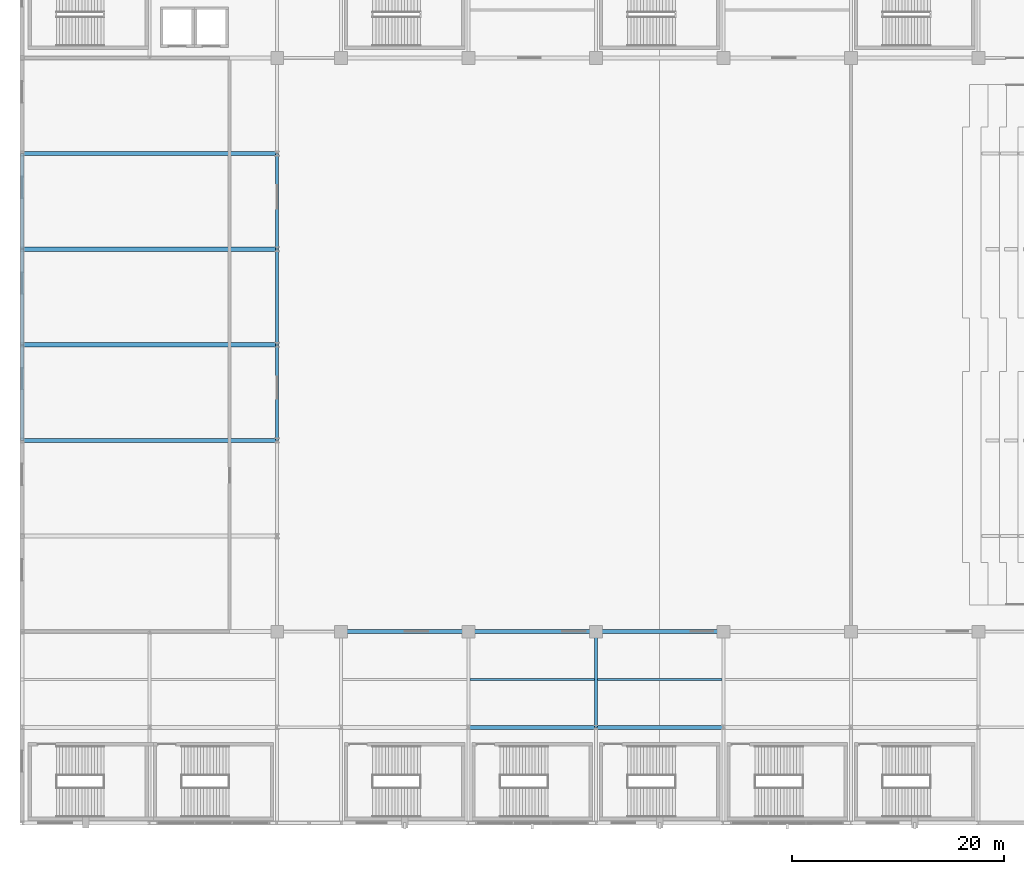
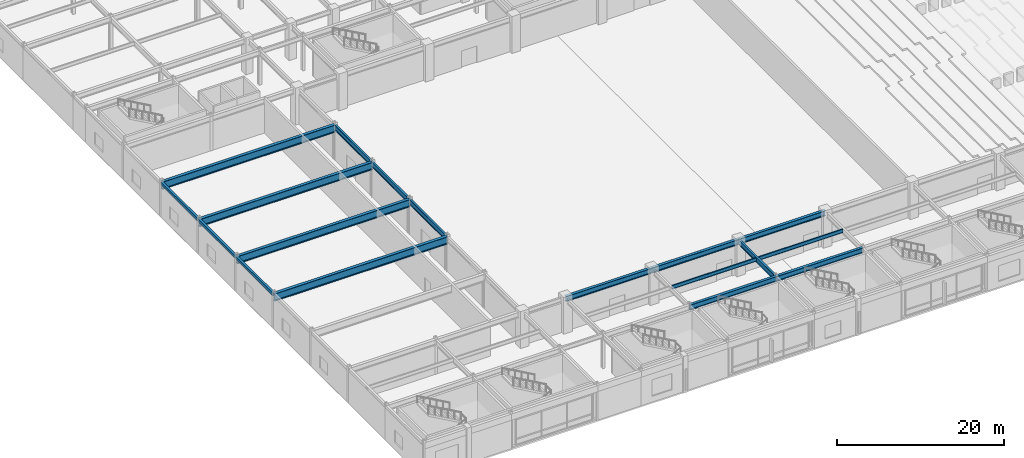
# One storey, part 26 of 100: 18 beams.
"""IFC4 building model written with IfcOpenShell, lengths in metres."""

from ifc_helpers import new_model, si_unit, direction, frame, origin, origin_2d, place, context, subcontext, project, spatial, hollow_rectangle, i_section, extrude, material, material_profile, profile_set, type_object, element, save


model = new_model("IFC4")

# Units and contexts
model_context = context("Model", 3, precision=1e-05, world=origin(), true_north=direction((0.0, 1.0)))
body_context = subcontext(model_context, "Body", "Model", "MODEL_VIEW")
ifc_project = project(units=[si_unit("LENGTHUNIT", "METRE"), si_unit("AREAUNIT", "SQUARE_METRE"), si_unit("VOLUMEUNIT", "CUBIC_METRE"), si_unit("PLANEANGLEUNIT", "RADIAN"), si_unit("MASSUNIT", "GRAM", prefix="KILO")], contexts=[model_context])

# Site, building, storey
site_placement = place(None, origin())
site = spatial("IfcSite", under=ifc_project, at=site_placement, CompositionType="ELEMENT")
building_placement = place(site_placement, origin())
building = spatial("IfcBuilding", under=site, at=building_placement, Name="Kaldorvane Square Convention Centre", CompositionType="ELEMENT")
storey_placement = place(building_placement, frame((0.0, 0.0, 18.0)))
storey = spatial("IfcBuildingStorey", under=building, at=storey_placement, Name="L03", CompositionType="ELEMENT", Elevation=18.0)

# Beams
ifc_material_1 = material(Name="Steel ASTM A992 Gr. 50", Category="steel")
ifc_material_profile_1 = material_profile(ifc_material_1, i_section(OverallWidth=0.2666015625, OverallDepth=0.762298583984375, WebThickness=0.014404296875, FlangeThickness=0.0216064453125, FilletRadius=0.0164947509765625, at=origin_2d()), Name="W30X116")
ifc_profile_set_1 = profile_set([ifc_material_profile_1], Name="Steel ASTM A992 Gr. 50")
beam_type_1 = type_object("IfcBeamType", Name="BM-GR-W30X116", PredefinedType="BEAM", material=ifc_profile_set_1)
for number, where, z_axis, x_axis, name in (
    (1, (24.0, 36.0, 4.694793701171875), (0.0, 1.0, 0.0), (-1.0, 0.0, 0.0), "Transverse Girder (L03)"),
    (2, (24.0, 45.0, 4.694793701171875), (0.0, 1.0, 0.0), (-1.0, 0.0, 0.0), "Transverse Girder (L03)"),
    (3, (24.0, 54.0, 4.694793701171875), (0.0, 1.0, 0.0), (-1.0, 0.0, 0.0), "Transverse Girder (L03)"),
    (4, (54.0, 9.0, 4.694793701171875), (0.0, 1.0, 0.0), (-1.0, 0.0, 0.0), "Transverse Girder (L03)"),
):
    element("IfcBeam", number, at=place(storey_placement, frame(where, z_axis=z_axis, x_axis=x_axis)), inside=storey, type_object=beam_type_1, Name=name, PredefinedType="BEAM", context=body_context, shape_type="SweptSolid", body=[
        extrude(i_section(OverallWidth=0.2666015625, OverallDepth=0.762298583984375, WebThickness=0.014404296875, FlangeThickness=0.0216064453125, FilletRadius=0.0164947509765625, at=origin_2d()), origin(), (0.0, 0.0, 1.0), 9.0),
    ])
ifc_material_profile_2 = material_profile(ifc_material_1, i_section(OverallWidth=0.380706787109375, OverallDepth=0.773193359375, WebThickness=0.0166015625, FlangeThickness=0.027099609375, FilletRadius=0.0164947509765625, at=origin_2d()), Name="W30X173")
ifc_profile_set_2 = profile_set([ifc_material_profile_2], Name="Steel ASTM A992 Gr. 50")
beam_type_2 = type_object("IfcBeamType", Name="BM-GR-W30X173", PredefinedType="BEAM", material=ifc_profile_set_2)
for number, where, z_axis, x_axis, name in (
    (5, (42.0, 9.0, 4.6894073486328125), (1.0, 0.0, 0.0), (0.0, 1.0, 0.0), "Primary Girder (L03)"),
    (6, (54.0, 9.0, 4.6894073486328125), (1.0, 0.0, 0.0), (0.0, 1.0, 0.0), "Primary Girder (L03)"),
    (7, (30.0, 18.0, 4.6894073486328125), (1.0, 0.0, 0.0), (0.0, 1.0, 0.0), "Primary Girder (L03)"),
    (8, (42.0, 18.0, 4.6894073486328125), (1.0, 0.0, 0.0), (0.0, 1.0, 0.0), "Primary Girder (L03)"),
    (9, (54.0, 18.0, 4.6894073486328125), (1.0, 0.0, 0.0), (0.0, 1.0, 0.0), "Primary Girder (L03)"),
):
    element("IfcBeam", number, at=place(storey_placement, frame(where, z_axis=z_axis, x_axis=x_axis)), inside=storey, type_object=beam_type_2, Name=name, PredefinedType="BEAM", context=body_context, shape_type="SweptSolid", body=[
        extrude(i_section(OverallWidth=0.380706787109375, OverallDepth=0.773193359375, WebThickness=0.0166015625, FlangeThickness=0.027099609375, FilletRadius=0.0164947509765625, at=origin_2d()), origin(), (0.0, 0.0, 1.0), 12.0),
    ])
ifc_material_profile_3 = material_profile(ifc_material_1, i_section(OverallWidth=0.404998779296875, OverallDepth=1.1179962158203125, WebThickness=0.0261993408203125, FlangeThickness=0.0449981689453125, FilletRadius=0.0254058837890625, at=origin_2d()), Name="W44X335")
ifc_profile_set_3 = profile_set([ifc_material_profile_3], Name="Steel ASTM A992 Gr. 50")
beam_type_3 = type_object("IfcBeamType", Name="BM-GR-W44X335", PredefinedType="BEAM", material=ifc_profile_set_3)
for number, where, z_axis, x_axis, name in (
    (10, (0.0, 36.0, 4.516998291015625), (1.0, 0.0, 0.0), (0.0, 1.0, 0.0), "Service Yard Long-Span Girder (L03)"),
    (11, (0.0, 45.0, 4.516998291015625), (1.0, 0.0, 0.0), (0.0, 1.0, 0.0), "Service Yard Long-Span Girder (L03)"),
    (12, (0.0, 54.0, 4.516998291015625), (1.0, 0.0, 0.0), (0.0, 1.0, 0.0), "Service Yard Long-Span Girder (L03)"),
    (13, (0.0, 63.0, 4.516998291015625), (1.0, 0.0, 0.0), (0.0, 1.0, 0.0), "Service Yard Long-Span Girder (L03)"),
):
    element("IfcBeam", number, at=place(storey_placement, frame(where, z_axis=z_axis, x_axis=x_axis)), inside=storey, type_object=beam_type_3, Name=name, PredefinedType="BEAM", context=body_context, shape_type="SweptSolid", body=[
        extrude(i_section(OverallWidth=0.404998779296875, OverallDepth=1.1179962158203125, WebThickness=0.0261993408203125, FlangeThickness=0.0449981689453125, FilletRadius=0.0254058837890625, at=origin_2d()), origin(), (0.0, 0.0, 1.0), 24.0),
    ])
ifc_material_profile_4 = material_profile(ifc_material_1, i_section(OverallWidth=0.1658935546875, OverallDepth=0.5290985107421875, WebThickness=0.00970458984375, FlangeThickness=0.0135955810546875, FilletRadius=0.0126953125, at=origin_2d()), Name="W21X50")
ifc_profile_set_4 = profile_set([ifc_material_profile_4], Name="Steel ASTM A992 Gr. 50")
beam_type_4 = type_object("IfcBeamType", Name="BM-JS-W21X50", PredefinedType="JOIST", material=ifc_profile_set_4)
for number, where, z_axis, x_axis, name in (
    (14, (42.13330078125, 13.5, 4.8114013671875), (1.0, 0.0, 0.0), (0.0, 1.0, 0.0), "Secondary Floor Joist (L03)"),
    (15, (54.13330078125, 13.5, 4.8114013671875), (1.0, 0.0, 0.0), (0.0, 1.0, 0.0), "Secondary Floor Joist (L03)"),
):
    element("IfcBeam", number, at=place(storey_placement, frame(where, z_axis=z_axis, x_axis=x_axis)), inside=storey, type_object=beam_type_4, Name=name, PredefinedType="JOIST", context=body_context, shape_type="SweptSolid", body=[
        extrude(i_section(OverallWidth=0.1658935546875, OverallDepth=0.5290985107421875, WebThickness=0.00970458984375, FlangeThickness=0.0135955810546875, FilletRadius=0.0126953125, at=origin_2d()), origin(), (0.0, 0.0, 1.0), 11.7333984375),
    ])
ifc_material_2 = material(Name="Steel ASTM A500 Gr. C", Category="steel")
ifc_material_profile_5 = material_profile(ifc_material_2, hollow_rectangle(XDim=0.3047943115234375, YDim=0.406402587890625, WallThickness=0.0117950439453125, at=origin_2d()), Name="HSS16X12X1/2")
ifc_profile_set_5 = profile_set([ifc_material_profile_5], Name="Steel ASTM A500 Gr. C")
beam_type_5 = type_object("IfcBeamType", Name="BM-SP-HSS16", PredefinedType="SPANDREL", material=ifc_profile_set_5)
for number, where, z_axis, x_axis, name in (
    (16, (0.0, 36.0, 4.872802734375), (0.0, 1.0, 0.0), (-1.0, 0.0, 0.0), "End Spandrel (L03)"),
    (17, (0.0, 45.0, 4.872802734375), (0.0, 1.0, 0.0), (-1.0, 0.0, 0.0), "End Spandrel (L03)"),
    (18, (0.0, 54.0, 4.872802734375), (0.0, 1.0, 0.0), (-1.0, 0.0, 0.0), "End Spandrel (L03)"),
):
    element("IfcBeam", number, at=place(storey_placement, frame(where, z_axis=z_axis, x_axis=x_axis)), inside=storey, type_object=beam_type_5, Name=name, PredefinedType="SPANDREL", context=body_context, shape_type="SweptSolid", body=[
        extrude(hollow_rectangle(XDim=0.3047943115234375, YDim=0.406402587890625, WallThickness=0.0117950439453125, at=origin_2d()), origin(), (0.0, 0.0, 1.0), 9.0),
    ])

save(model, "model.ifc")
